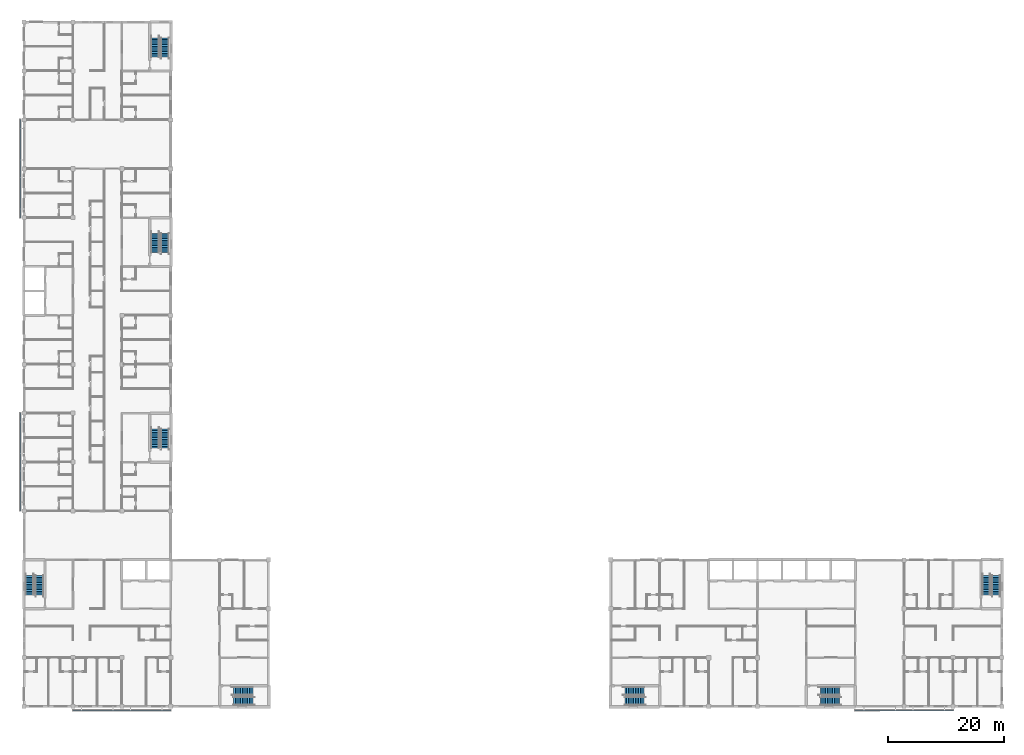
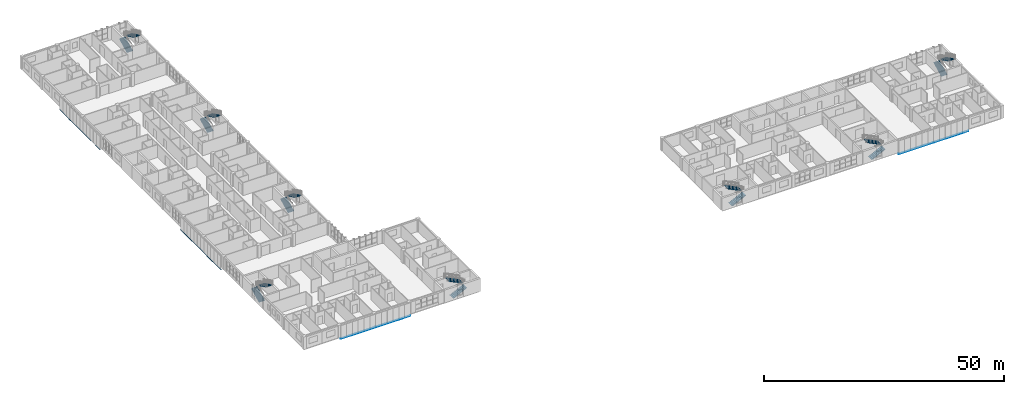
# One storey, part 39 of 46: 16 stair flights, 8 discrete accessories, 8 elements without a shape of their own.
"""IFC4 building model written with IfcOpenShell, lengths in metres."""

from ifc_helpers import new_model, si_unit, direction, frame, origin, origin_2d, place, context, subcontext, project, spatial, polyline, hollow_rectangle, outline, extrude, material, material_profile, profile_set, type_object, element, aggregate, save


model = new_model("IFC4")

# Units and contexts
model_context = context("Model", 3, precision=1e-05, world=origin(), true_north=direction((0.0, 1.0)))
body_context = subcontext(model_context, "Body", "Model", "MODEL_VIEW")
ifc_project = project(units=[si_unit("LENGTHUNIT", "METRE"), si_unit("AREAUNIT", "SQUARE_METRE"), si_unit("VOLUMEUNIT", "CUBIC_METRE"), si_unit("PLANEANGLEUNIT", "RADIAN"), si_unit("MASSUNIT", "GRAM", prefix="KILO")], contexts=[model_context])

# Site, building, storey
site_placement = place(None, origin())
site = spatial("IfcSite", under=ifc_project, at=site_placement, CompositionType="ELEMENT")
building_placement = place(site_placement, origin())
building = spatial("IfcBuilding", under=site, at=building_placement, Name="Yavir Park General Hospital", CompositionType="ELEMENT")
storey_placement = place(building_placement, frame((0.0, 0.0, 18.89990234375)))
storey = spatial("IfcBuildingStorey", under=building, at=storey_placement, Name="L04", CompositionType="ELEMENT", Elevation=18.89990234375)

# Stair, stair flights
ifc_material_1 = material(Name="Concrete C30/37", Category="concrete")
stair_type = type_object("IfcStairType", Name="Patient escape stair, 24 risers of 150 mm, 1400 mm flights", PredefinedType="HALF_TURN_STAIR", material=ifc_material_1)
stair_1_placement = place(storey_placement, origin())
stair_1 = element("IfcStair", 1, at=stair_1_placement, inside=storey, type_object=stair_type, Name="Stair SU1, L04 to L05", PredefinedType="HALF_TURN_STAIR")
ifc_material_2 = material(Name="Concrete C30/37", Category="concrete")
stair_flight_type = type_object("IfcStairFlightType", Name="Patient escape stair flight, 12 risers, 1400 mm wide", PredefinedType="STRAIGHT", material=ifc_material_2)
stair_flight_1_placement = place(storey_placement, frame((0.949951171875, 19.199951171875, 0.0), z_axis=(0.0, 0.0, 1.0), x_axis=(0.0, 1.0, 0.0)))
stair_flight_1 = element("IfcStairFlight", 2, at=stair_flight_1_placement, type_object=stair_flight_type, Name="SU1 flight 1", NumberOfRisers=12, NumberOfTreads=11, PredefinedType="STRAIGHT", RiserHeight=0.15, TreadLength=0.3, context=body_context, shape_type="SweptSolid", body=[
    extrude(outline(polyline([(0.0, 0.0), (0.0, 0.14990234375), (0.300048828125, 0.14990234375), (0.300048828125, 0.300048828125), (0.60009765625, 0.300048828125), (0.60009765625, 0.449951171875), (0.89990234375, 0.449951171875), (0.89990234375, 0.60009765625), (1.199951171875, 0.60009765625), (1.199951171875, 0.75), (1.5, 0.75), (1.5, 0.89990234375), (1.800048828125, 0.89990234375), (1.800048828125, 1.050048828125), (2.10009765625, 1.050048828125), (2.10009765625, 1.199951171875), (2.39990234375, 1.199951171875), (2.39990234375, 1.35009765625), (2.699951171875, 1.35009765625), (2.699951171875, 1.5), (3.0, 1.5), (3.0, 1.64990234375), (3.300048828125, 1.64990234375), (3.300048828125, 1.800048828125), (3.300048828125, 1.47119140625), (0.357666015625, 0.0), (0.0, 0.0)])), frame((0.0, 0.699951171875, 0.0), z_axis=(0.0, -1.0, 0.0), x_axis=(1.0, 0.0, 0.0)), (0.0, 0.0, 1.0), 1.39990234375),
])
stair_flight_2_placement = place(storey_placement, frame((2.64990234375, 22.5, 1.800048828125), z_axis=(0.0, 0.0, 1.0), x_axis=(0.0, -1.0, 0.0)))
stair_flight_2 = element("IfcStairFlight", 3, at=stair_flight_2_placement, type_object=stair_flight_type, Name="SU1 flight 2", NumberOfRisers=12, NumberOfTreads=11, PredefinedType="STRAIGHT", RiserHeight=0.15, TreadLength=0.3, context=body_context, shape_type="SweptSolid", body=[
    extrude(outline(polyline([(0.0, 0.0), (0.0, 0.14990234375), (0.300048828125, 0.14990234375), (0.300048828125, 0.300048828125), (0.60009765625, 0.300048828125), (0.60009765625, 0.449951171875), (0.89990234375, 0.449951171875), (0.89990234375, 0.60009765625), (1.199951171875, 0.60009765625), (1.199951171875, 0.75), (1.5, 0.75), (1.5, 0.89990234375), (1.800048828125, 0.89990234375), (1.800048828125, 1.050048828125), (2.10009765625, 1.050048828125), (2.10009765625, 1.199951171875), (2.39990234375, 1.199951171875), (2.39990234375, 1.35009765625), (2.699951171875, 1.35009765625), (2.699951171875, 1.5), (3.0, 1.5), (3.0, 1.64990234375), (3.300048828125, 1.64990234375), (3.300048828125, 1.800048828125), (3.300048828125, 1.47119140625), (0.357666015625, 0.0), (0.0, 0.0)])), frame((0.0, 0.699951171875, 0.0), z_axis=(0.0, -1.0, 0.0), x_axis=(1.0, 0.0, 0.0)), (0.0, 0.0, 1.0), 1.39990234375),
])
aggregate(stair_1, [stair_flight_1, stair_flight_2])

stair_2_placement = place(storey_placement, origin())
stair_2 = element("IfcStair", 4, at=stair_2_placement, inside=storey, type_object=stair_type, Name="Stair SU2, L04 to L05", PredefinedType="HALF_TURN_STAIR")
stair_flight_3_placement = place(storey_placement, frame((36.0, 0.949951171875, 0.0), z_axis=(0.0, 0.0, 1.0), x_axis=(1.0, 0.0, 0.0)))
stair_flight_3 = element("IfcStairFlight", 5, at=stair_flight_3_placement, type_object=stair_flight_type, Name="SU2 flight 1", NumberOfRisers=12, NumberOfTreads=11, PredefinedType="STRAIGHT", RiserHeight=0.15, TreadLength=0.3, context=body_context, shape_type="SweptSolid", body=[
    extrude(outline(polyline([(0.0, 0.0), (0.0, 0.14990234375), (0.300048828125, 0.14990234375), (0.300048828125, 0.300048828125), (0.60009765625, 0.300048828125), (0.60009765625, 0.449951171875), (0.89990234375, 0.449951171875), (0.89990234375, 0.60009765625), (1.199951171875, 0.60009765625), (1.199951171875, 0.75), (1.5, 0.75), (1.5, 0.89990234375), (1.800048828125, 0.89990234375), (1.800048828125, 1.050048828125), (2.10009765625, 1.050048828125), (2.10009765625, 1.199951171875), (2.39990234375, 1.199951171875), (2.39990234375, 1.35009765625), (2.699951171875, 1.35009765625), (2.699951171875, 1.5), (3.0, 1.5), (3.0, 1.64990234375), (3.300048828125, 1.64990234375), (3.300048828125, 1.800048828125), (3.300048828125, 1.47119140625), (0.357666015625, 0.0), (0.0, 0.0)])), frame((0.0, 0.699951171875, 0.0), z_axis=(0.0, -1.0, 0.0), x_axis=(1.0, 0.0, 0.0)), (0.0, 0.0, 1.0), 1.39990234375),
])
stair_flight_4_placement = place(storey_placement, frame((39.300048828125, 2.64990234375, 1.800048828125), z_axis=(0.0, 0.0, 1.0), x_axis=(-1.0, 0.0, 0.0)))
stair_flight_4 = element("IfcStairFlight", 6, at=stair_flight_4_placement, type_object=stair_flight_type, Name="SU2 flight 2", NumberOfRisers=12, NumberOfTreads=11, PredefinedType="STRAIGHT", RiserHeight=0.15, TreadLength=0.3, context=body_context, shape_type="SweptSolid", body=[
    extrude(outline(polyline([(0.0, 0.0), (0.0, 0.14990234375), (0.300048828125, 0.14990234375), (0.300048828125, 0.300048828125), (0.60009765625, 0.300048828125), (0.60009765625, 0.449951171875), (0.89990234375, 0.449951171875), (0.89990234375, 0.60009765625), (1.199951171875, 0.60009765625), (1.199951171875, 0.75), (1.5, 0.75), (1.5, 0.89990234375), (1.800048828125, 0.89990234375), (1.800048828125, 1.050048828125), (2.10009765625, 1.050048828125), (2.10009765625, 1.199951171875), (2.39990234375, 1.199951171875), (2.39990234375, 1.35009765625), (2.699951171875, 1.35009765625), (2.699951171875, 1.5), (3.0, 1.5), (3.0, 1.64990234375), (3.300048828125, 1.64990234375), (3.300048828125, 1.800048828125), (3.300048828125, 1.47119140625), (0.357666015625, 0.0), (0.0, 0.0)])), frame((0.0, 0.699951171875, 0.0), z_axis=(0.0, -1.0, 0.0), x_axis=(1.0, 0.0, 0.0)), (0.0, 0.0, 1.0), 1.39990234375),
])
aggregate(stair_2, [stair_flight_3, stair_flight_4])

stair_3_placement = place(storey_placement, origin())
stair_3 = element("IfcStair", 7, at=stair_3_placement, inside=storey, type_object=stair_type, Name="Stair SU4, L04 to L05", PredefinedType="HALF_TURN_STAIR")
stair_flight_5_placement = place(storey_placement, frame((103.199951171875, 0.949951171875, 0.0), z_axis=(0.0, 0.0, 1.0), x_axis=(1.0, 0.0, 0.0)))
stair_flight_5 = element("IfcStairFlight", 8, at=stair_flight_5_placement, type_object=stair_flight_type, Name="SU4 flight 1", NumberOfRisers=12, NumberOfTreads=11, PredefinedType="STRAIGHT", RiserHeight=0.15, TreadLength=0.3, context=body_context, shape_type="SweptSolid", body=[
    extrude(outline(polyline([(0.0, 0.0), (0.0, 0.14990234375), (0.300048828125, 0.14990234375), (0.300048828125, 0.300048828125), (0.60009765625, 0.300048828125), (0.60009765625, 0.449951171875), (0.89990234375, 0.449951171875), (0.89990234375, 0.60009765625), (1.199951171875, 0.60009765625), (1.199951171875, 0.75), (1.5, 0.75), (1.5, 0.89990234375), (1.800048828125, 0.89990234375), (1.800048828125, 1.050048828125), (2.10009765625, 1.050048828125), (2.10009765625, 1.199951171875), (2.39990234375, 1.199951171875), (2.39990234375, 1.35009765625), (2.699951171875, 1.35009765625), (2.699951171875, 1.5), (3.0, 1.5), (3.0, 1.64990234375), (3.300048828125, 1.64990234375), (3.300048828125, 1.800048828125), (3.300048828125, 1.47119140625), (0.357666015625, 0.0), (0.0, 0.0)])), frame((0.0, 0.699951171875, 0.0), z_axis=(0.0, -1.0, 0.0), x_axis=(1.0, 0.0, 0.0)), (0.0, 0.0, 1.0), 1.39990234375),
])
stair_flight_6_placement = place(storey_placement, frame((106.5, 2.64990234375, 1.800048828125), z_axis=(0.0, 0.0, 1.0), x_axis=(-1.0, 0.0, 0.0)))
stair_flight_6 = element("IfcStairFlight", 9, at=stair_flight_6_placement, type_object=stair_flight_type, Name="SU4 flight 2", NumberOfRisers=12, NumberOfTreads=11, PredefinedType="STRAIGHT", RiserHeight=0.15, TreadLength=0.3, context=body_context, shape_type="SweptSolid", body=[
    extrude(outline(polyline([(0.0, 0.0), (0.0, 0.14990234375), (0.300048828125, 0.14990234375), (0.300048828125, 0.300048828125), (0.60009765625, 0.300048828125), (0.60009765625, 0.449951171875), (0.89990234375, 0.449951171875), (0.89990234375, 0.60009765625), (1.199951171875, 0.60009765625), (1.199951171875, 0.75), (1.5, 0.75), (1.5, 0.89990234375), (1.800048828125, 0.89990234375), (1.800048828125, 1.050048828125), (2.10009765625, 1.050048828125), (2.10009765625, 1.199951171875), (2.39990234375, 1.199951171875), (2.39990234375, 1.35009765625), (2.699951171875, 1.35009765625), (2.699951171875, 1.5), (3.0, 1.5), (3.0, 1.64990234375), (3.300048828125, 1.64990234375), (3.300048828125, 1.800048828125), (3.300048828125, 1.47119140625), (0.357666015625, 0.0), (0.0, 0.0)])), frame((0.0, 0.699951171875, 0.0), z_axis=(0.0, -1.0, 0.0), x_axis=(1.0, 0.0, 0.0)), (0.0, 0.0, 1.0), 1.39990234375),
])
aggregate(stair_3, [stair_flight_5, stair_flight_6])

stair_4_placement = place(storey_placement, origin())
stair_4 = element("IfcStair", 10, at=stair_4_placement, inside=storey, type_object=stair_type, Name="Stair SU5, L04 to L05", PredefinedType="HALF_TURN_STAIR")
stair_flight_7_placement = place(storey_placement, frame((136.800048828125, 0.949951171875, 0.0), z_axis=(0.0, 0.0, 1.0), x_axis=(1.0, 0.0, 0.0)))
stair_flight_7 = element("IfcStairFlight", 11, at=stair_flight_7_placement, type_object=stair_flight_type, Name="SU5 flight 1", NumberOfRisers=12, NumberOfTreads=11, PredefinedType="STRAIGHT", RiserHeight=0.15, TreadLength=0.3, context=body_context, shape_type="SweptSolid", body=[
    extrude(outline(polyline([(0.0, 0.0), (0.0, 0.14990234375), (0.300048828125, 0.14990234375), (0.300048828125, 0.300048828125), (0.60009765625, 0.300048828125), (0.60009765625, 0.449951171875), (0.89990234375, 0.449951171875), (0.89990234375, 0.60009765625), (1.199951171875, 0.60009765625), (1.199951171875, 0.75), (1.5, 0.75), (1.5, 0.89990234375), (1.800048828125, 0.89990234375), (1.800048828125, 1.050048828125), (2.10009765625, 1.050048828125), (2.10009765625, 1.199951171875), (2.39990234375, 1.199951171875), (2.39990234375, 1.35009765625), (2.699951171875, 1.35009765625), (2.699951171875, 1.5), (3.0, 1.5), (3.0, 1.64990234375), (3.300048828125, 1.64990234375), (3.300048828125, 1.800048828125), (3.300048828125, 1.47119140625), (0.357666015625, 0.0), (0.0, 0.0)])), frame((0.0, 0.699951171875, 0.0), z_axis=(0.0, -1.0, 0.0), x_axis=(1.0, 0.0, 0.0)), (0.0, 0.0, 1.0), 1.39990234375),
])
stair_flight_8_placement = place(storey_placement, frame((140.10009765625, 2.64990234375, 1.800048828125), z_axis=(0.0, 0.0, 1.0), x_axis=(-1.0, 0.0, 0.0)))
stair_flight_8 = element("IfcStairFlight", 12, at=stair_flight_8_placement, type_object=stair_flight_type, Name="SU5 flight 2", NumberOfRisers=12, NumberOfTreads=11, PredefinedType="STRAIGHT", RiserHeight=0.15, TreadLength=0.3, context=body_context, shape_type="SweptSolid", body=[
    extrude(outline(polyline([(0.0, 0.0), (0.0, 0.14990234375), (0.300048828125, 0.14990234375), (0.300048828125, 0.300048828125), (0.60009765625, 0.300048828125), (0.60009765625, 0.449951171875), (0.89990234375, 0.449951171875), (0.89990234375, 0.60009765625), (1.199951171875, 0.60009765625), (1.199951171875, 0.75), (1.5, 0.75), (1.5, 0.89990234375), (1.800048828125, 0.89990234375), (1.800048828125, 1.050048828125), (2.10009765625, 1.050048828125), (2.10009765625, 1.199951171875), (2.39990234375, 1.199951171875), (2.39990234375, 1.35009765625), (2.699951171875, 1.35009765625), (2.699951171875, 1.5), (3.0, 1.5), (3.0, 1.64990234375), (3.300048828125, 1.64990234375), (3.300048828125, 1.800048828125), (3.300048828125, 1.47119140625), (0.357666015625, 0.0), (0.0, 0.0)])), frame((0.0, 0.699951171875, 0.0), z_axis=(0.0, -1.0, 0.0), x_axis=(1.0, 0.0, 0.0)), (0.0, 0.0, 1.0), 1.39990234375),
])
aggregate(stair_4, [stair_flight_7, stair_flight_8])

stair_5_placement = place(storey_placement, origin())
stair_5 = element("IfcStair", 13, at=stair_5_placement, inside=storey, type_object=stair_type, Name="Stair SU6, L04 to L05", PredefinedType="HALF_TURN_STAIR")
stair_flight_9_placement = place(storey_placement, frame((165.300048828125, 19.199951171875, 0.0), z_axis=(0.0, 0.0, 1.0), x_axis=(0.0, 1.0, 0.0)))
stair_flight_9 = element("IfcStairFlight", 14, at=stair_flight_9_placement, type_object=stair_flight_type, Name="SU6 flight 1", NumberOfRisers=12, NumberOfTreads=11, PredefinedType="STRAIGHT", RiserHeight=0.15, TreadLength=0.3, context=body_context, shape_type="SweptSolid", body=[
    extrude(outline(polyline([(0.0, 0.0), (0.0, 0.14990234375), (0.300048828125, 0.14990234375), (0.300048828125, 0.300048828125), (0.60009765625, 0.300048828125), (0.60009765625, 0.449951171875), (0.89990234375, 0.449951171875), (0.89990234375, 0.60009765625), (1.199951171875, 0.60009765625), (1.199951171875, 0.75), (1.5, 0.75), (1.5, 0.89990234375), (1.800048828125, 0.89990234375), (1.800048828125, 1.050048828125), (2.10009765625, 1.050048828125), (2.10009765625, 1.199951171875), (2.39990234375, 1.199951171875), (2.39990234375, 1.35009765625), (2.699951171875, 1.35009765625), (2.699951171875, 1.5), (3.0, 1.5), (3.0, 1.64990234375), (3.300048828125, 1.64990234375), (3.300048828125, 1.800048828125), (3.300048828125, 1.47119140625), (0.357666015625, 0.0), (0.0, 0.0)])), frame((0.0, 0.699951171875, 0.0), z_axis=(0.0, -1.0, 0.0), x_axis=(1.0, 0.0, 0.0)), (0.0, 0.0, 1.0), 1.39990234375),
])
stair_flight_10_placement = place(storey_placement, frame((167.0, 22.5, 1.800048828125), z_axis=(0.0, 0.0, 1.0), x_axis=(0.0, -1.0, 0.0)))
stair_flight_10 = element("IfcStairFlight", 15, at=stair_flight_10_placement, type_object=stair_flight_type, Name="SU6 flight 2", NumberOfRisers=12, NumberOfTreads=11, PredefinedType="STRAIGHT", RiserHeight=0.15, TreadLength=0.3, context=body_context, shape_type="SweptSolid", body=[
    extrude(outline(polyline([(0.0, 0.0), (0.0, 0.14990234375), (0.300048828125, 0.14990234375), (0.300048828125, 0.300048828125), (0.60009765625, 0.300048828125), (0.60009765625, 0.449951171875), (0.89990234375, 0.449951171875), (0.89990234375, 0.60009765625), (1.199951171875, 0.60009765625), (1.199951171875, 0.75), (1.5, 0.75), (1.5, 0.89990234375), (1.800048828125, 0.89990234375), (1.800048828125, 1.050048828125), (2.10009765625, 1.050048828125), (2.10009765625, 1.199951171875), (2.39990234375, 1.199951171875), (2.39990234375, 1.35009765625), (2.699951171875, 1.35009765625), (2.699951171875, 1.5), (3.0, 1.5), (3.0, 1.64990234375), (3.300048828125, 1.64990234375), (3.300048828125, 1.800048828125), (3.300048828125, 1.47119140625), (0.357666015625, 0.0), (0.0, 0.0)])), frame((0.0, 0.699951171875, 0.0), z_axis=(0.0, -1.0, 0.0), x_axis=(1.0, 0.0, 0.0)), (0.0, 0.0, 1.0), 1.39990234375),
])
aggregate(stair_5, [stair_flight_9, stair_flight_10])

stair_6_placement = place(storey_placement, origin())
stair_6 = element("IfcStair", 16, at=stair_6_placement, inside=storey, type_object=stair_type, Name="Stair SW1, L04 to L05", PredefinedType="HALF_TURN_STAIR")
stair_flight_11_placement = place(storey_placement, frame((22.5, 44.39990234375, 0.0), z_axis=(0.0, 0.0, 1.0), x_axis=(0.0, 1.0, 0.0)))
stair_flight_11 = element("IfcStairFlight", 17, at=stair_flight_11_placement, type_object=stair_flight_type, Name="SW1 flight 1", NumberOfRisers=12, NumberOfTreads=11, PredefinedType="STRAIGHT", RiserHeight=0.15, TreadLength=0.3, context=body_context, shape_type="SweptSolid", body=[
    extrude(outline(polyline([(0.0, 0.0), (0.0, 0.14990234375), (0.300048828125, 0.14990234375), (0.300048828125, 0.300048828125), (0.60009765625, 0.300048828125), (0.60009765625, 0.449951171875), (0.89990234375, 0.449951171875), (0.89990234375, 0.60009765625), (1.199951171875, 0.60009765625), (1.199951171875, 0.75), (1.5, 0.75), (1.5, 0.89990234375), (1.800048828125, 0.89990234375), (1.800048828125, 1.050048828125), (2.10009765625, 1.050048828125), (2.10009765625, 1.199951171875), (2.39990234375, 1.199951171875), (2.39990234375, 1.35009765625), (2.699951171875, 1.35009765625), (2.699951171875, 1.5), (3.0, 1.5), (3.0, 1.64990234375), (3.300048828125, 1.64990234375), (3.300048828125, 1.800048828125), (3.300048828125, 1.47119140625), (0.357666015625, 0.0), (0.0, 0.0)])), frame((0.0, 0.699951171875, 0.0), z_axis=(0.0, -1.0, 0.0), x_axis=(1.0, 0.0, 0.0)), (0.0, 0.0, 1.0), 1.39990234375),
])
stair_flight_12_placement = place(storey_placement, frame((24.199951171875, 47.699951171875, 1.800048828125), z_axis=(0.0, 0.0, 1.0), x_axis=(0.0, -1.0, 0.0)))
stair_flight_12 = element("IfcStairFlight", 18, at=stair_flight_12_placement, type_object=stair_flight_type, Name="SW1 flight 2", NumberOfRisers=12, NumberOfTreads=11, PredefinedType="STRAIGHT", RiserHeight=0.15, TreadLength=0.3, context=body_context, shape_type="SweptSolid", body=[
    extrude(outline(polyline([(0.0, 0.0), (0.0, 0.14990234375), (0.300048828125, 0.14990234375), (0.300048828125, 0.300048828125), (0.60009765625, 0.300048828125), (0.60009765625, 0.449951171875), (0.89990234375, 0.449951171875), (0.89990234375, 0.60009765625), (1.199951171875, 0.60009765625), (1.199951171875, 0.75), (1.5, 0.75), (1.5, 0.89990234375), (1.800048828125, 0.89990234375), (1.800048828125, 1.050048828125), (2.10009765625, 1.050048828125), (2.10009765625, 1.199951171875), (2.39990234375, 1.199951171875), (2.39990234375, 1.35009765625), (2.699951171875, 1.35009765625), (2.699951171875, 1.5), (3.0, 1.5), (3.0, 1.64990234375), (3.300048828125, 1.64990234375), (3.300048828125, 1.800048828125), (3.300048828125, 1.47119140625), (0.357666015625, 0.0), (0.0, 0.0)])), frame((0.0, 0.699951171875, 0.0), z_axis=(0.0, -1.0, 0.0), x_axis=(1.0, 0.0, 0.0)), (0.0, 0.0, 1.0), 1.39990234375),
])
aggregate(stair_6, [stair_flight_11, stair_flight_12])

stair_7_placement = place(storey_placement, origin())
stair_7 = element("IfcStair", 19, at=stair_7_placement, inside=storey, type_object=stair_type, Name="Stair SW2, L04 to L05", PredefinedType="HALF_TURN_STAIR")
stair_flight_13_placement = place(storey_placement, frame((22.5, 78.0, 0.0), z_axis=(0.0, 0.0, 1.0), x_axis=(0.0, 1.0, 0.0)))
stair_flight_13 = element("IfcStairFlight", 20, at=stair_flight_13_placement, type_object=stair_flight_type, Name="SW2 flight 1", NumberOfRisers=12, NumberOfTreads=11, PredefinedType="STRAIGHT", RiserHeight=0.15, TreadLength=0.3, context=body_context, shape_type="SweptSolid", body=[
    extrude(outline(polyline([(0.0, 0.0), (0.0, 0.14990234375), (0.300048828125, 0.14990234375), (0.300048828125, 0.300048828125), (0.60009765625, 0.300048828125), (0.60009765625, 0.449951171875), (0.89990234375, 0.449951171875), (0.89990234375, 0.60009765625), (1.199951171875, 0.60009765625), (1.199951171875, 0.75), (1.5, 0.75), (1.5, 0.89990234375), (1.800048828125, 0.89990234375), (1.800048828125, 1.050048828125), (2.10009765625, 1.050048828125), (2.10009765625, 1.199951171875), (2.39990234375, 1.199951171875), (2.39990234375, 1.35009765625), (2.699951171875, 1.35009765625), (2.699951171875, 1.5), (3.0, 1.5), (3.0, 1.64990234375), (3.300048828125, 1.64990234375), (3.300048828125, 1.800048828125), (3.300048828125, 1.47119140625), (0.357666015625, 0.0), (0.0, 0.0)])), frame((0.0, 0.699951171875, 0.0), z_axis=(0.0, -1.0, 0.0), x_axis=(1.0, 0.0, 0.0)), (0.0, 0.0, 1.0), 1.39990234375),
])
stair_flight_14_placement = place(storey_placement, frame((24.199951171875, 81.300048828125, 1.800048828125), z_axis=(0.0, 0.0, 1.0), x_axis=(0.0, -1.0, 0.0)))
stair_flight_14 = element("IfcStairFlight", 21, at=stair_flight_14_placement, type_object=stair_flight_type, Name="SW2 flight 2", NumberOfRisers=12, NumberOfTreads=11, PredefinedType="STRAIGHT", RiserHeight=0.15, TreadLength=0.3, context=body_context, shape_type="SweptSolid", body=[
    extrude(outline(polyline([(0.0, 0.0), (0.0, 0.14990234375), (0.300048828125, 0.14990234375), (0.300048828125, 0.300048828125), (0.60009765625, 0.300048828125), (0.60009765625, 0.449951171875), (0.89990234375, 0.449951171875), (0.89990234375, 0.60009765625), (1.199951171875, 0.60009765625), (1.199951171875, 0.75), (1.5, 0.75), (1.5, 0.89990234375), (1.800048828125, 0.89990234375), (1.800048828125, 1.050048828125), (2.10009765625, 1.050048828125), (2.10009765625, 1.199951171875), (2.39990234375, 1.199951171875), (2.39990234375, 1.35009765625), (2.699951171875, 1.35009765625), (2.699951171875, 1.5), (3.0, 1.5), (3.0, 1.64990234375), (3.300048828125, 1.64990234375), (3.300048828125, 1.800048828125), (3.300048828125, 1.47119140625), (0.357666015625, 0.0), (0.0, 0.0)])), frame((0.0, 0.699951171875, 0.0), z_axis=(0.0, -1.0, 0.0), x_axis=(1.0, 0.0, 0.0)), (0.0, 0.0, 1.0), 1.39990234375),
])
aggregate(stair_7, [stair_flight_13, stair_flight_14])

stair_8_placement = place(storey_placement, origin())
stair_8 = element("IfcStair", 22, at=stair_8_placement, inside=storey, type_object=stair_type, Name="Stair SW3, L04 to L05", PredefinedType="HALF_TURN_STAIR")
stair_flight_15_placement = place(storey_placement, frame((22.5, 111.60009765625, 0.0), z_axis=(0.0, 0.0, 1.0), x_axis=(0.0, 1.0, 0.0)))
stair_flight_15 = element("IfcStairFlight", 23, at=stair_flight_15_placement, type_object=stair_flight_type, Name="SW3 flight 1", NumberOfRisers=12, NumberOfTreads=11, PredefinedType="STRAIGHT", RiserHeight=0.15, TreadLength=0.3, context=body_context, shape_type="SweptSolid", body=[
    extrude(outline(polyline([(0.0, 0.0), (0.0, 0.14990234375), (0.300048828125, 0.14990234375), (0.300048828125, 0.300048828125), (0.60009765625, 0.300048828125), (0.60009765625, 0.449951171875), (0.89990234375, 0.449951171875), (0.89990234375, 0.60009765625), (1.199951171875, 0.60009765625), (1.199951171875, 0.75), (1.5, 0.75), (1.5, 0.89990234375), (1.800048828125, 0.89990234375), (1.800048828125, 1.050048828125), (2.10009765625, 1.050048828125), (2.10009765625, 1.199951171875), (2.39990234375, 1.199951171875), (2.39990234375, 1.35009765625), (2.699951171875, 1.35009765625), (2.699951171875, 1.5), (3.0, 1.5), (3.0, 1.64990234375), (3.300048828125, 1.64990234375), (3.300048828125, 1.800048828125), (3.300048828125, 1.47119140625), (0.357666015625, 0.0), (0.0, 0.0)])), frame((0.0, 0.699951171875, 0.0), z_axis=(0.0, -1.0, 0.0), x_axis=(1.0, 0.0, 0.0)), (0.0, 0.0, 1.0), 1.39990234375),
])
stair_flight_16_placement = place(storey_placement, frame((24.199951171875, 114.89990234375, 1.800048828125), z_axis=(0.0, 0.0, 1.0), x_axis=(0.0, -1.0, 0.0)))
stair_flight_16 = element("IfcStairFlight", 24, at=stair_flight_16_placement, type_object=stair_flight_type, Name="SW3 flight 2", NumberOfRisers=12, NumberOfTreads=11, PredefinedType="STRAIGHT", RiserHeight=0.15, TreadLength=0.3, context=body_context, shape_type="SweptSolid", body=[
    extrude(outline(polyline([(0.0, 0.0), (0.0, 0.14990234375), (0.300048828125, 0.14990234375), (0.300048828125, 0.300048828125), (0.60009765625, 0.300048828125), (0.60009765625, 0.449951171875), (0.89990234375, 0.449951171875), (0.89990234375, 0.60009765625), (1.199951171875, 0.60009765625), (1.199951171875, 0.75), (1.5, 0.75), (1.5, 0.89990234375), (1.800048828125, 0.89990234375), (1.800048828125, 1.050048828125), (2.10009765625, 1.050048828125), (2.10009765625, 1.199951171875), (2.39990234375, 1.199951171875), (2.39990234375, 1.35009765625), (2.699951171875, 1.35009765625), (2.699951171875, 1.5), (3.0, 1.5), (3.0, 1.64990234375), (3.300048828125, 1.64990234375), (3.300048828125, 1.800048828125), (3.300048828125, 1.47119140625), (0.357666015625, 0.0), (0.0, 0.0)])), frame((0.0, 0.699951171875, 0.0), z_axis=(0.0, -1.0, 0.0), x_axis=(1.0, 0.0, 0.0)), (0.0, 0.0, 1.0), 1.39990234375),
])
aggregate(stair_8, [stair_flight_15, stair_flight_16])

# Discrete accessories
ifc_material_3 = material(Name="Steel S355", Category="steel")
ifc_material_profile = material_profile(ifc_material_3, hollow_rectangle(XDim=0.10009765625, YDim=0.06005859375, WallThickness=0.00390625, InnerFilletRadius=0.00390625, OuterFilletRadius=0.008056640625, at=origin_2d()), Name="RHS60x100x4")
ifc_profile_set = profile_set([ifc_material_profile], Name="Steel S355")
discrete_accessory_type = type_object("IfcDiscreteAccessoryType", Name="Screen rail RHS 100 x 60", PredefinedType="BRACKET", material=ifc_profile_set)
discrete_accessory_1_placement = place(storey_placement, frame((8.409912109375, -0.64990234375, -0.02978515625), z_axis=(1.0, 0.0, 0.0), x_axis=(0.0, 1.0, 0.0)))
element("IfcDiscreteAccessory", 25, at=discrete_accessory_1_placement, inside=storey, type_object=discrete_accessory_type, Name="Screen rail S2.2", PredefinedType="BRACKET", context=body_context, shape_type="SweptSolid", body=[
    extrude(hollow_rectangle(XDim=0.10009765625, YDim=0.06005859375, WallThickness=0.00390625, InnerFilletRadius=0.00390625, OuterFilletRadius=0.008056640625, at=origin_2d()), origin(), (0.0, 0.0, 1.0), 8.380126953125),
])
for number, where, z_axis, x_axis, name in (
    (26, (16.81005859375, -0.64990234375, -0.02978515625), (1.0, 0.0, 0.0), (0.0, 1.0, 0.0), "Screen rail S3.2"),
    (27, (142.81005859375, -0.64990234375, -0.02978515625), (1.0, 0.0, 0.0), (0.0, 1.0, 0.0), "Screen rail S18.2"),
):
    element("IfcDiscreteAccessory", number, at=place(storey_placement, frame(where, z_axis=z_axis, x_axis=x_axis)), inside=storey, type_object=discrete_accessory_type, Name=name, PredefinedType="BRACKET", context=body_context, shape_type="SweptSolid", body=[
        extrude(hollow_rectangle(XDim=0.10009765625, YDim=0.06005859375, WallThickness=0.00390625, InnerFilletRadius=0.00390625, OuterFilletRadius=0.008056640625, at=origin_2d()), origin(), (0.0, 0.0, 1.0), 8.3798828125),
    ])
discrete_accessory_2_placement = place(storey_placement, frame((151.2099609375, -0.64990234375, -0.02978515625), z_axis=(1.0, 0.0, 0.0), x_axis=(0.0, 1.0, 0.0)))
element("IfcDiscreteAccessory", 28, at=discrete_accessory_2_placement, inside=storey, type_object=discrete_accessory_type, Name="Screen rail S19.2", PredefinedType="BRACKET", context=body_context, shape_type="SweptSolid", body=[
    extrude(hollow_rectangle(XDim=0.10009765625, YDim=0.06005859375, WallThickness=0.00390625, InnerFilletRadius=0.00390625, OuterFilletRadius=0.008056640625, at=origin_2d()), origin(), (0.0, 0.0, 1.0), 8.380126953125),
])
for number, where, z_axis, x_axis, name in (
    (29, (-0.64990234375, 33.610107421875, -0.02978515625), (0.0, 1.0, 0.0), (-1.0, 0.0, 0.0), "Screen rail W5.2"),
    (30, (-0.64990234375, 42.010009765625, -0.02978515625), (0.0, 1.0, 0.0), (-1.0, 0.0, 0.0), "Screen rail W6.2"),
    (31, (-0.64990234375, 84.010009765625, -0.02978515625), (0.0, 1.0, 0.0), (-1.0, 0.0, 0.0), "Screen rail W11.2"),
):
    element("IfcDiscreteAccessory", number, at=place(storey_placement, frame(where, z_axis=z_axis, x_axis=x_axis)), inside=storey, type_object=discrete_accessory_type, Name=name, PredefinedType="BRACKET", context=body_context, shape_type="SweptSolid", body=[
        extrude(hollow_rectangle(XDim=0.10009765625, YDim=0.06005859375, WallThickness=0.00390625, InnerFilletRadius=0.00390625, OuterFilletRadius=0.008056640625, at=origin_2d()), origin(), (0.0, 0.0, 1.0), 8.3798828125),
    ])
discrete_accessory_3_placement = place(storey_placement, frame((-0.64990234375, 92.409912109375, -0.02978515625), z_axis=(0.0, 1.0, 0.0), x_axis=(-1.0, 0.0, 0.0)))
element("IfcDiscreteAccessory", 32, at=discrete_accessory_3_placement, inside=storey, type_object=discrete_accessory_type, Name="Screen rail W12.2", PredefinedType="BRACKET", context=body_context, shape_type="SweptSolid", body=[
    extrude(hollow_rectangle(XDim=0.10009765625, YDim=0.06005859375, WallThickness=0.00390625, InnerFilletRadius=0.00390625, OuterFilletRadius=0.008056640625, at=origin_2d()), origin(), (0.0, 0.0, 1.0), 8.380126953125),
])

save(model, "model.ifc")
